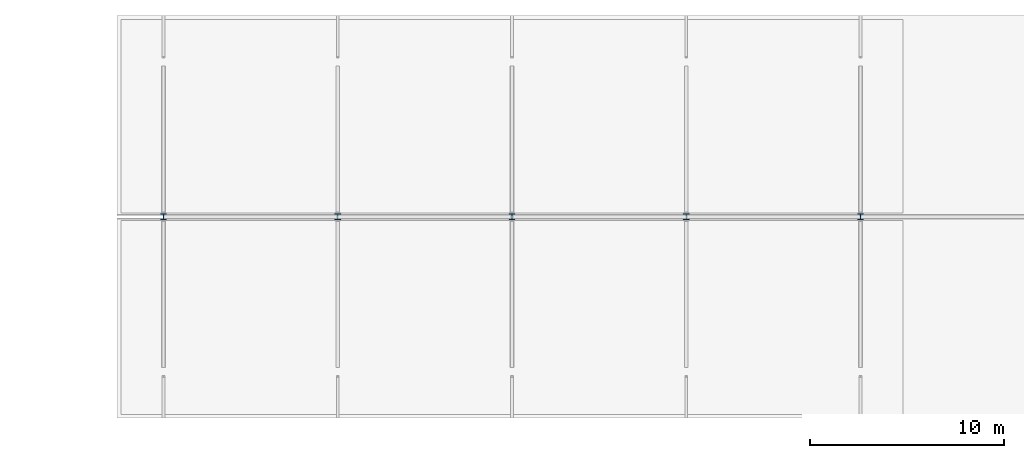
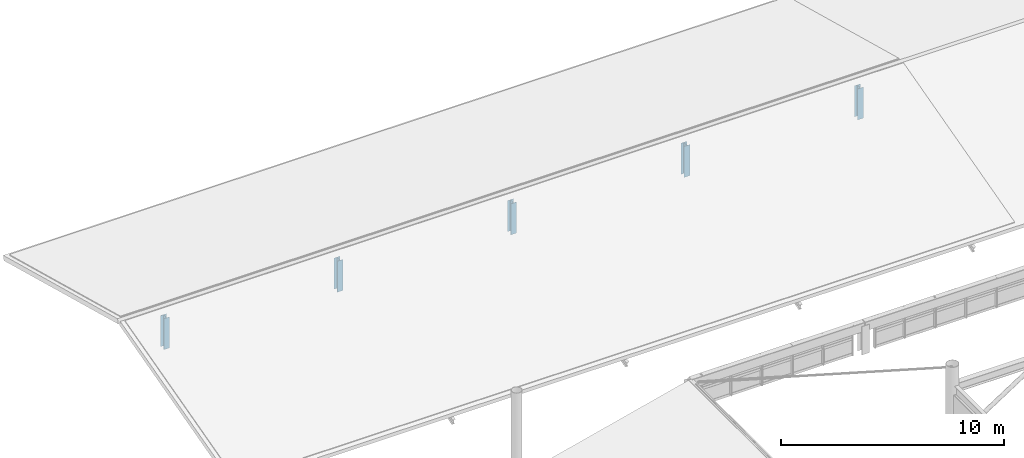
# One storey, part 7 of 128: 5 columns.
"""IFC4 building model written with IfcOpenShell, lengths in metres."""

import ifcopenshell
import ifcopenshell.guid

model = None  # the IFC model being written
_history = None  # IfcOwnerHistory: only IFC2X3 demands one
_inside = {}  # id of a spatial element -> (the spatial element, [elements in it])
_under = {}  # id of a project, library or spatial element -> (it, [spatial elements below it])
_declared = {}  # id of a project -> (the project, [libraries it declares])
_typed = {}  # id of a type object -> (the type object, [elements of that type])
_made_of = {}  # id of a material, layer set ... -> (it, [elements and type objects made of it])


def new_model(schema):
    """Start an empty IFC model of exactly this schema.

    Asked for "IFC4X3", IfcOpenShell would pick the latest addendum, in which some entities
    have other attributes; the version numbers below select the first issue.
    IFC2X3 requires an IfcOwnerHistory on every rooted entity: one is made here for all.
    """
    global model, _history
    if schema == "IFC4X3":
        model = ifcopenshell.file(schema_version=(4, 3, 0, 0))
    else:
        model = ifcopenshell.file(schema=schema)
    _inside.clear()
    _under.clear()
    _declared.clear()
    _typed.clear()
    _made_of.clear()
    _history = None
    if model.schema == "IFC2X3":
        org = make("IfcOrganization", Name="unknown")
        user = make(
            "IfcPersonAndOrganization",
            ThePerson=make("IfcPerson", FamilyName="unknown"),
            TheOrganization=org,
        )
        app = make(
            "IfcApplication",
            ApplicationDeveloper=org,
            Version="unknown",
            ApplicationFullName="unknown",
            ApplicationIdentifier="unknown",
        )
        _history = make(
            "IfcOwnerHistory",
            OwningUser=user,
            OwningApplication=app,
            ChangeAction="ADDED",
            CreationDate=0,
        )
    return model


def make(cls, **values):
    """One entity of the class cls with the attributes given. An attribute that is None is left unset."""
    return model.create_entity(
        cls, **{name: value for name, value in values.items() if value is not None}
    )


def rooted(cls, **values):
    """An entity with a GlobalId (a new one), such as an element, a storey or a relation."""
    return make(cls, GlobalId=ifcopenshell.guid.new(), OwnerHistory=_history, **values)


def si_unit(unit_type, name, prefix=None):
    """IfcSIUnit, for example si_unit("LENGTHUNIT", "METRE", prefix="MILLI")."""
    return make("IfcSIUnit", UnitType=unit_type, Prefix=prefix, Name=name)


def derived_unit(unit_type, elements):
    """IfcDerivedUnit: a product of units, each with its exponent."""
    return make(
        "IfcDerivedUnit",
        Elements=[
            make("IfcDerivedUnitElement", Unit=unit, Exponent=power)
            for unit, power in elements
        ],
        UnitType=unit_type,
    )


def assignment(units):
    """IfcUnitAssignment: the units of a project."""
    return None if units is None else make("IfcUnitAssignment", Units=units)


def point(xyz):
    """IfcCartesianPoint."""
    return None if xyz is None else make("IfcCartesianPoint", Coordinates=xyz)


def direction(xyz):
    """IfcDirection."""
    return None if xyz is None else make("IfcDirection", DirectionRatios=xyz)


def frame(location, z_axis=None, x_axis=None):
    """IfcAxis2Placement3D, a coordinate frame: its origin and axes. An axis left out is left unset."""
    return make(
        "IfcAxis2Placement3D",
        Location=point(location),
        Axis=direction(z_axis),
        RefDirection=direction(x_axis),
    )


def frame_2d(location, x_axis=None):
    """IfcAxis2Placement2D, a coordinate frame in the plane: its origin and x axis."""
    return make(
        "IfcAxis2Placement2D", Location=point(location), RefDirection=direction(x_axis)
    )


def origin():
    """The frame at (0, 0, 0) with its axes left unset."""
    return frame((0.0, 0.0, 0.0))


def origin_2d():
    """The frame at (0, 0) in the plane with its x axis left unset."""
    return frame_2d((0.0, 0.0))


def place(relative_to, where):
    """IfcLocalPlacement: puts the frame where relative to a parent placement (None: the world)."""
    return make(
        "IfcLocalPlacement", PlacementRelTo=relative_to, RelativePlacement=where
    )


def context(
    kind, dimensions, precision=None, world=None, true_north=None, identifier=None
):
    """IfcGeometricRepresentationContext, for example the 3D "Model" context."""
    return make(
        "IfcGeometricRepresentationContext",
        ContextIdentifier=identifier,
        ContextType=kind,
        CoordinateSpaceDimension=dimensions,
        Precision=precision,
        WorldCoordinateSystem=world,
        TrueNorth=true_north,
    )


def subcontext(parent, identifier, kind, view, scale=None):
    """IfcGeometricRepresentationSubContext, for example "Body" below "Model"."""
    return make(
        "IfcGeometricRepresentationSubContext",
        ContextIdentifier=identifier,
        ContextType=kind,
        ParentContext=parent,
        TargetScale=scale,
        TargetView=view,
    )


def project(units=None, contexts=None):
    """IfcProject with its units and contexts."""
    return rooted(
        "IfcProject",
        Name="project",
        RepresentationContexts=contexts,
        UnitsInContext=assignment(units),
    )


def spatial(cls, under=None, at=None, **own):
    """A site, building, storey or space (cls), placed at a placement, below another one or the project."""
    s = rooted(cls, ObjectPlacement=at, **own)
    if under is not None:
        _under.setdefault(under.id(), (under, []))[1].append(s)
    return s


def profile(cls, at=None, kind="AREA", **sizes):
    """A parametric profile (cls). Its sizes go by their IFC names, for example OverallWidth=200.0."""
    return make(cls, ProfileType=kind, Position=at, **sizes)


def i_section(**sizes):
    """IfcIShapeProfileDef."""
    return profile("IfcIShapeProfileDef", **sizes)


def extrude(swept, where, along, depth):
    """IfcExtrudedAreaSolid: the profile swept, set in the frame where, extruded along a direction by depth."""
    return make(
        "IfcExtrudedAreaSolid",
        SweptArea=swept,
        Position=where,
        ExtrudedDirection=direction(along),
        Depth=depth,
    )


def shape(context_of_items, identifier, shape_type, items):
    """IfcShapeRepresentation: the items that make up one representation, for example the "Body"."""
    return make(
        "IfcShapeRepresentation",
        ContextOfItems=context_of_items,
        RepresentationIdentifier=identifier,
        RepresentationType=shape_type,
        Items=items,
    )


def material(Name=None, Category=None):
    """IfcMaterial."""
    return make("IfcMaterial", Name=Name, Category=Category)


def material_profile(
    of_material, cross_section, Name=None, Category=None, Priority=None
):
    """IfcMaterialProfile: a cross section and its material."""
    return make(
        "IfcMaterialProfile",
        Name=Name,
        Material=of_material,
        Profile=cross_section,
        Priority=Priority,
        Category=Category,
    )


def profile_set(profiles, Name=None, composite=None):
    """IfcMaterialProfileSet."""
    return make(
        "IfcMaterialProfileSet",
        Name=Name,
        MaterialProfiles=profiles,
        CompositeProfile=composite,
    )


def made_of(thing, what):
    """Note that an element or type object is made of a material, layer set ...; save() writes the relation."""
    if what is not None:
        _made_of.setdefault(what.id(), (what, []))[1].append(thing)
    return thing


def type_object(cls, material=None, **own):
    """A type object (cls), such as IfcWallType, which elements share."""
    return made_of(rooted(cls, **own), material)


def element(
    cls,
    number,
    at=None,
    inside=None,
    cuts=None,
    type_object=None,
    material=None,
    context=None,
    identifier="Body",
    shape_type=None,
    held_by="IfcProductDefinitionShape",
    body=None,
    shapes=None,
    **own,
):
    """One element of the class cls, such as IfcWall. Its Tag is "e" and its number.

    at: its placement. inside: the storey or other place that contains it. cuts: it is an
    opening in that element (IfcRelVoidsElement). A single representation is given by context,
    identifier, shape_type and body (its items); several are given by shapes. held_by: the class
    of the entity that holds the representations. save() writes the other relations.
    """
    e = rooted(cls, Tag="e%d" % number, ObjectPlacement=at, **own)
    if body is not None:
        shapes = [shape(context, identifier, shape_type, body)]
    if shapes is not None:
        e.Representation = make(held_by, Representations=shapes)
    if inside is not None:
        _inside.setdefault(inside.id(), (inside, []))[1].append(e)
    if cuts is not None:
        rooted(
            "IfcRelVoidsElement", RelatingBuildingElement=cuts, RelatedOpeningElement=e
        )
    if type_object is not None:
        _typed.setdefault(type_object.id(), (type_object, []))[1].append(e)
    return made_of(e, material)


def aggregate(whole, parts):
    """IfcRelAggregates: a whole, such as a stair, and the parts it consists of."""
    return rooted("IfcRelAggregates", RelatingObject=whole, RelatedObjects=parts)


def save(model, path):
    """Write the relations noted so far, then the file.

    IfcRelAggregates (storeys below a building ...), IfcRelContainedInSpatialStructure (elements
    in a storey), IfcRelDefinesByType, IfcRelAssociatesMaterial and IfcRelDeclares: one each for
    every whole, place, type object, material and project.
    """
    for whole, parts in _under.values():
        aggregate(whole, parts)
    for where, things in _inside.values():
        rooted(
            "IfcRelContainedInSpatialStructure",
            RelatedElements=things,
            RelatingStructure=where,
        )
    for kind, things in _typed.values():
        rooted("IfcRelDefinesByType", RelatedObjects=things, RelatingType=kind)
    for what, things in _made_of.values():
        rooted("IfcRelAssociatesMaterial", RelatedObjects=things, RelatingMaterial=what)
    for by, libraries in _declared.values():
        rooted("IfcRelDeclares", RelatingContext=by, RelatedDefinitions=libraries)
    model.write(path)


model = new_model("IFC4")

# Units and contexts
model_context = context("Model", 3, precision=1e-05, world=origin(), true_north=direction((0.0, 1.0)))
body_context = subcontext(model_context, "Body", "Model", "MODEL_VIEW")
ifc_project = project(units=[si_unit("LENGTHUNIT", "METRE"), si_unit("AREAUNIT", "SQUARE_METRE"), si_unit("VOLUMEUNIT", "CUBIC_METRE"), si_unit("PLANEANGLEUNIT", "RADIAN"), si_unit("MASSUNIT", "GRAM", prefix="KILO"), derived_unit("THERMALTRANSMITTANCEUNIT", [(si_unit("MASSUNIT", "GRAM", prefix="KILO"), 1), (si_unit("TIMEUNIT", "SECOND"), -3), (si_unit("THERMODYNAMICTEMPERATUREUNIT", "KELVIN"), -1)])], contexts=[model_context])

# Site, building, storey
site_placement = place(None, origin())
site = spatial("IfcSite", under=ifc_project, at=site_placement, CompositionType="ELEMENT")
building_placement = place(site_placement, origin())
building = spatial("IfcBuilding", under=site, at=building_placement, Name="Zhenchuan Archway Interchange", CompositionType="ELEMENT")
storey_placement = place(building_placement, frame((0.0, 0.0, 14.39990234375)))
storey = spatial("IfcBuildingStorey", under=building, at=storey_placement, Name="L03", CompositionType="ELEMENT", Elevation=14.39990234375)

# Columns
ifc_material = material(Name="Steel Q355", Category="steel")
ifc_material_profile = material_profile(ifc_material, i_section(OverallWidth=0.300048828125, OverallDepth=0.300048828125, WebThickness=0.010009765625, FlangeThickness=0.014892578125, FilletRadius=0.01806640625, at=origin_2d()), Name="HW 300x300")
ifc_profile_set = profile_set([ifc_material_profile], Name="Steel Q355")
column_type = type_object("IfcColumnType", Name="COL_STL_GABLE_HW300", PredefinedType="COLUMN", material=ifc_profile_set)
for number, where, z_axis, x_axis, name in (
    (1, (9.0, 104.0, 0.0), (0.0, 0.0, 1.0), (1.0, 0.0, 0.0), "Terminal Wing gable ridge column 2/O (L03)"),
    (2, (18.0, 104.0, 0.0), (0.0, 0.0, 1.0), (1.0, 0.0, 0.0), "Terminal Wing gable ridge column 3/O (L03)"),
    (3, (27.0, 104.0, 0.0), (0.0, 0.0, 1.0), (1.0, 0.0, 0.0), "Terminal Wing gable ridge column 4/O (L03)"),
    (4, (36.0, 104.0, 0.0), (0.0, 0.0, 1.0), (1.0, 0.0, 0.0), "Terminal Wing gable ridge column 5/O (L03)"),
    (5, (45.0, 104.0, 0.0), (0.0, 0.0, 1.0), (1.0, 0.0, 0.0), "Terminal Wing gable ridge column 6/O (L03)"),
):
    element("IfcColumn", number, at=place(storey_placement, frame(where, z_axis=z_axis, x_axis=x_axis)), inside=storey, type_object=column_type, Name=name, PredefinedType="COLUMN", context=body_context, shape_type="SweptSolid", body=[
        extrude(i_section(OverallWidth=0.300048828125, OverallDepth=0.300048828125, WebThickness=0.010009765625, FlangeThickness=0.014892578125, FilletRadius=0.01806640625, at=origin_2d()), origin(), (0.0, 0.0, 1.0), 1.7001953125),
    ])

save(model, "model.ifc")
